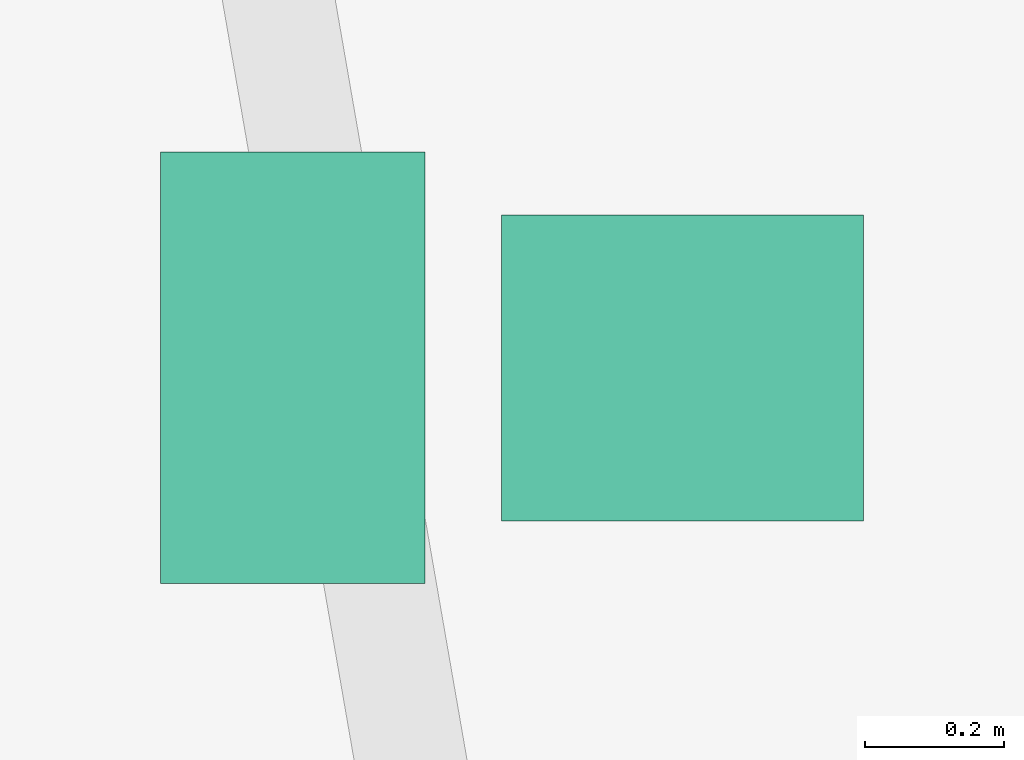
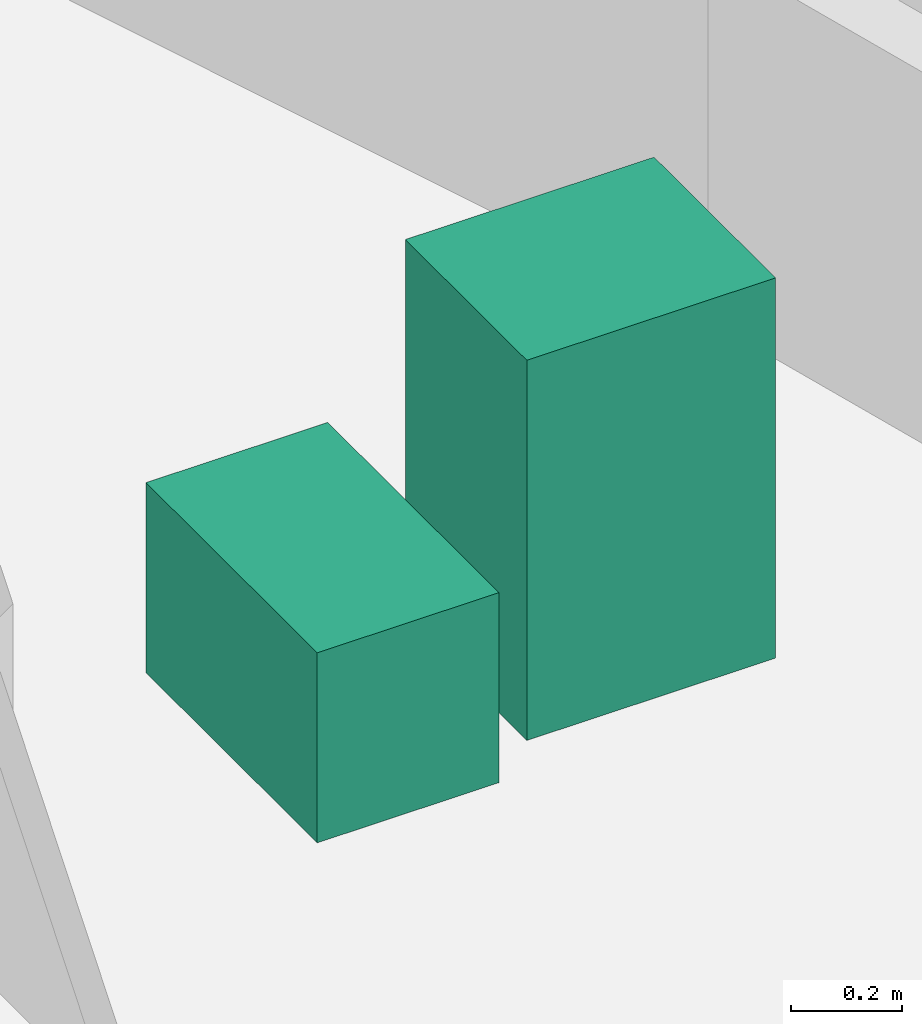
# One storey, part 12 of 12: 2 sanitary terminals.
"""IFC4 building model written with IfcOpenShell, lengths in metres."""

from ifc_helpers import new_model, si_unit, direction, frame, origin, origin_2d, place, context, subcontext, project, spatial, rectangle, extrude, source, transform, mapped, material, type_object, element, save


model = new_model("IFC4")

# Units and contexts
model_context = context("Model", 3, precision=1e-05, world=origin(), true_north=direction((0.0, 1.0)))
body_context = subcontext(model_context, "Body", "Model", "MODEL_VIEW")
ifc_project = project(units=[si_unit("LENGTHUNIT", "METRE"), si_unit("AREAUNIT", "SQUARE_METRE"), si_unit("VOLUMEUNIT", "CUBIC_METRE"), si_unit("PLANEANGLEUNIT", "RADIAN"), si_unit("MASSUNIT", "GRAM", prefix="KILO")], contexts=[model_context])

# Site, building, storey
site_placement = place(None, origin())
site = spatial("IfcSite", under=ifc_project, at=site_placement, CompositionType="ELEMENT")
building_placement = place(site_placement, origin())
building = spatial("IfcBuilding", under=site, at=building_placement, Name="Qafzar Sky-Pleat Residences", CompositionType="ELEMENT")
storey_placement = place(building_placement, frame((0.0, 0.0, 250.0)))
storey = spatial("IfcBuildingStorey", under=building, at=storey_placement, Name="L75", CompositionType="ELEMENT", Elevation=250.0)

# Sanitary terminals
ifc_material = material(Name="Vitreous china sanitaryware")
sanitary_terminal_type_1 = type_object("IfcSanitaryTerminalType", Name="SAN-WC-PAN", PredefinedType="TOILETPAN", material=ifc_material)
shared_shape_1 = source(origin(), body_context, "Body", "SweptSolid", [
    extrude(rectangle(XDim=0.3798828125, YDim=0.6201171875, at=origin_2d()), origin(), (0.0, 0.0, 1.0), 0.419921875),
])
sanitary_terminal_1_placement = place(storey_placement, frame((38.920166015625, 33.411865234375, 0.0), z_axis=(0.0, 0.0, 1.0), x_axis=(1.0, 0.0, 0.0)))
element("IfcSanitaryTerminal", 1, at=sanitary_terminal_1_placement, inside=storey, type_object=sanitary_terminal_type_1, Name="L75 Accessible Shared Washroom WC Pan", PredefinedType="TOILETPAN", context=body_context, shape_type="MappedRepresentation", body=[
    mapped(shared_shape_1, transform((0.0, 0.0, 0.0), x_axis=(1.0, 0.0, 0.0), y_axis=(0.0, 1.0, 0.0), z_axis=(0.0, 0.0, 1.0), scale=1.0)),
])
sanitary_terminal_type_2 = type_object("IfcSanitaryTerminalType", Name="SAN-BASIN", PredefinedType="WASHHANDBASIN", material=ifc_material)
shared_shape_2 = source(origin(), body_context, "Body", "SweptSolid", [
    extrude(rectangle(XDim=0.52001953125, YDim=0.43994140625, at=origin_2d()), origin(), (0.0, 0.0, 1.0), 0.840087890625),
])
sanitary_terminal_2_placement = place(storey_placement, frame((39.480224609375, 33.411865234375, 0.0), z_axis=(0.0, 0.0, 1.0), x_axis=(1.0, 0.0, 0.0)))
element("IfcSanitaryTerminal", 2, at=sanitary_terminal_2_placement, inside=storey, type_object=sanitary_terminal_type_2, Name="L75 Accessible Shared Washroom Pedestal Washbasin", PredefinedType="WASHHANDBASIN", context=body_context, shape_type="MappedRepresentation", body=[
    mapped(shared_shape_2, transform((0.0, 0.0, 0.0), x_axis=(1.0, 0.0, 0.0), y_axis=(0.0, 1.0, 0.0), z_axis=(0.0, 0.0, 1.0), scale=1.0)),
])

save(model, "model.ifc")
